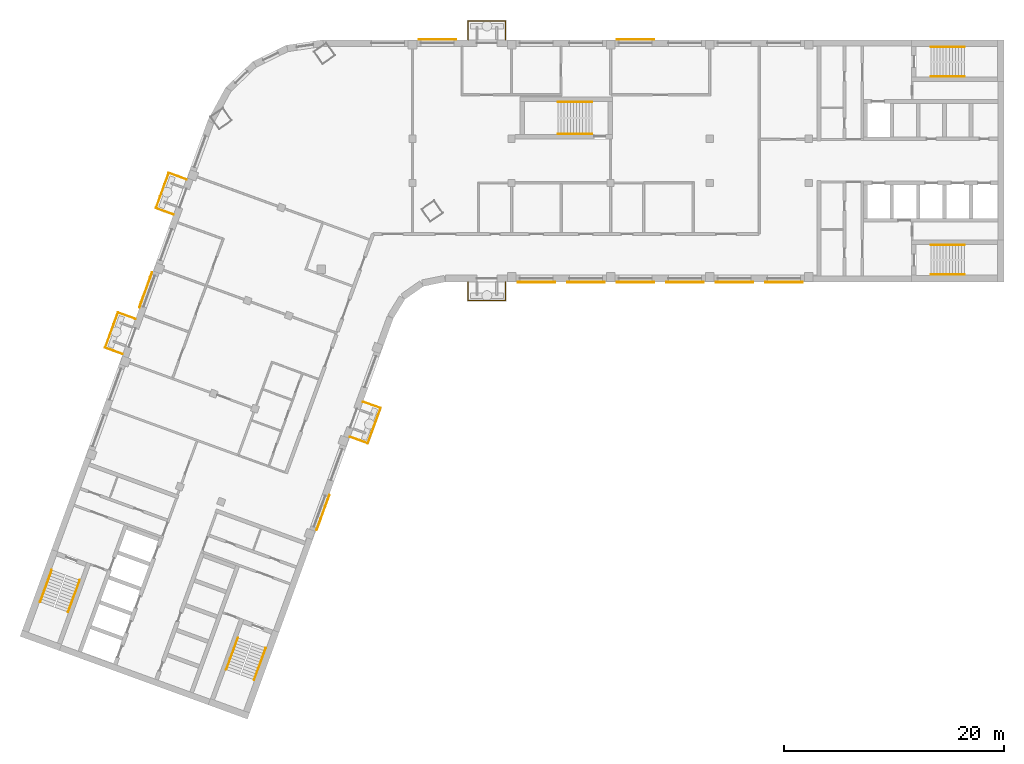
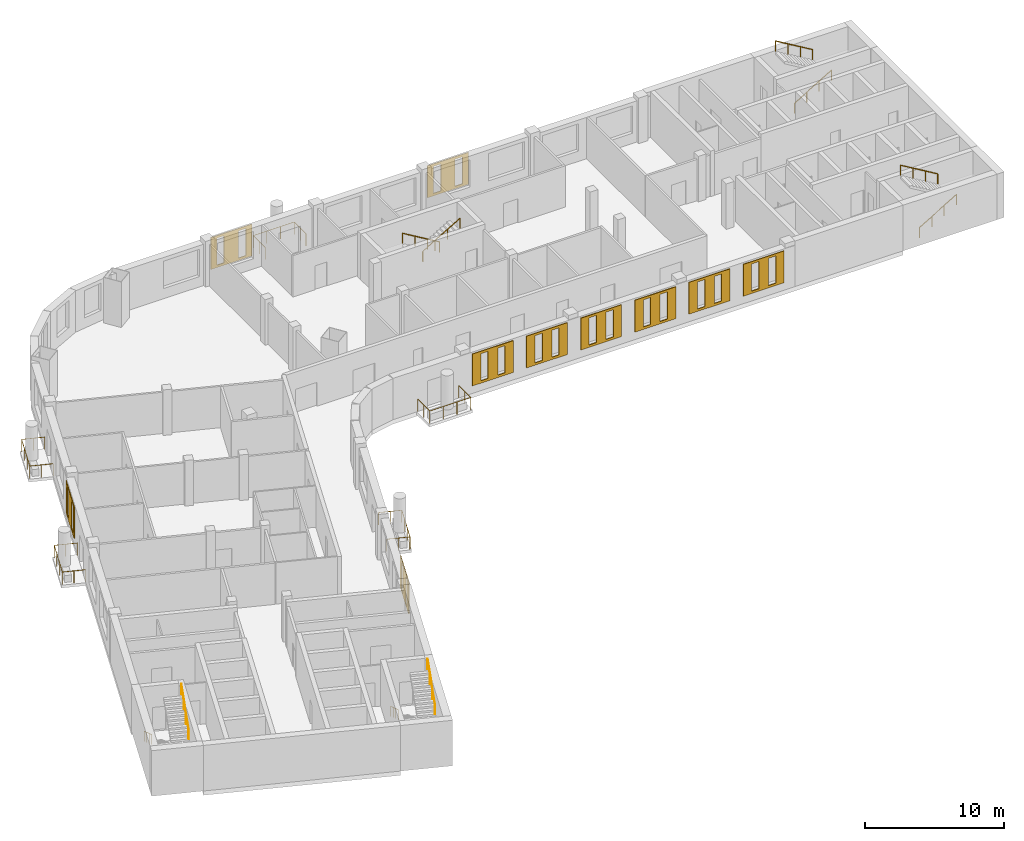
# One storey, part 9 of 11: 15 railings, 10 coverings.
"""IFC4 building model written with IfcOpenShell, lengths in metres."""

from ifc_helpers import new_model, si_unit, direction, frame, origin, origin_2d, place, context, subcontext, project, spatial, polyline, circle, outline, extrude, material, material_profile, profile_set, type_object, element, save


model = new_model("IFC4")

# Units and contexts
model_context = context("Model", 3, precision=1e-05, world=origin(), true_north=direction((0.0, 1.0)))
body_context = subcontext(model_context, "Body", "Model", "MODEL_VIEW")
ifc_project = project(units=[si_unit("LENGTHUNIT", "METRE"), si_unit("AREAUNIT", "SQUARE_METRE"), si_unit("VOLUMEUNIT", "CUBIC_METRE"), si_unit("PLANEANGLEUNIT", "RADIAN"), si_unit("MASSUNIT", "GRAM", prefix="KILO")], contexts=[model_context])

# Site, building, storey
site_placement = place(None, origin())
site = spatial("IfcSite", under=ifc_project, at=site_placement, CompositionType="ELEMENT")
building_placement = place(site_placement, origin())
building = spatial("IfcBuilding", under=site, at=building_placement, Name="Skarvind Civic Tower", CompositionType="ELEMENT")
storey_placement = place(building_placement, frame((0.0, 0.0, 142.5)))
storey = spatial("IfcBuildingStorey", under=building, at=storey_placement, Name="L33", CompositionType="ELEMENT", Elevation=142.5)

# Railings
ifc_material_1 = material(Name="Stainless steel balustrade", Category="steel")
railing_type_1 = type_object("IfcRailingType", Name="GR1 GUARD 1100", PredefinedType="GUARDRAIL", material=ifc_material_1)
railing_1_placement = place(storey_placement, frame((49.735595703125, 106.101806640625, 0.0)))
element("IfcRailing", 1, at=railing_1_placement, inside=storey, type_object=railing_type_1, Name="TREE BALCONY GUARD", PredefinedType="GUARDRAIL", context=body_context, shape_type="SweptSolid", body=[
    extrude(circle(Radius=0.02392578125, at=origin_2d()), frame((0.0, 0.0, 1.076171875), z_axis=(0.93966756638, -0.342088971896, 0.0), x_axis=(0.342088971896, 0.93966756638, 0.0)), (0.0, 0.0, 1.0), 1.699951171875),
    extrude(circle(Radius=0.02392578125, at=origin_2d()), frame((1.597412109375, -0.58154296875, 1.076171875), z_axis=(-0.342002487902, -0.939699046647, 0.0), x_axis=(0.939699046647, -0.342002487902, 0.0)), (0.0, 0.0, 1.0), 3.400146484375),
    extrude(circle(Radius=0.02392578125, at=origin_2d()), frame((0.4345703125, -3.776611328125, 1.076171875), z_axis=(-0.93966756638, 0.342088971896, 0.0), x_axis=(-0.342088971896, -0.93966756638, 0.0)), (0.0, 0.0, 1.0), 1.699951171875),
    extrude(circle(Radius=0.02099609375, at=origin_2d()), origin(), (0.0, 0.0, 1.0), 1.052001953125),
    extrude(circle(Radius=0.02099609375, at=origin_2d()), frame((0.798828125, -0.290771484375, 0.0)), (0.0, 0.0, 1.0), 1.052001953125),
    extrude(circle(Radius=0.02099609375, at=origin_2d()), frame((1.597412109375, -0.58154296875, 0.0)), (0.0, 0.0, 1.0), 1.052001953125),
    extrude(circle(Radius=0.02099609375, at=origin_2d()), frame((1.209716796875, -1.646484375, 0.0)), (0.0, 0.0, 1.0), 1.052001953125),
    extrude(circle(Radius=0.02099609375, at=origin_2d()), frame((0.822265625, -2.711669921875, 0.0)), (0.0, 0.0, 1.0), 1.052001953125),
    extrude(circle(Radius=0.02099609375, at=origin_2d()), frame((0.4345703125, -3.776611328125, 0.0)), (0.0, 0.0, 1.0), 1.052001953125),
    extrude(circle(Radius=0.02099609375, at=origin_2d()), frame((-0.3642578125, -3.48583984375, 0.0)), (0.0, 0.0, 1.0), 1.052001953125),
    extrude(circle(Radius=0.02099609375, at=origin_2d()), frame((-1.162841796875, -3.195068359375, 0.0)), (0.0, 0.0, 1.0), 1.052001953125),
])
railing_2_placement = place(storey_placement, frame((62.699951171875, 117.0, 0.0)))
element("IfcRailing", 2, at=railing_2_placement, inside=storey, type_object=railing_type_1, Name="TREE BALCONY GUARD", PredefinedType="GUARDRAIL", context=body_context, shape_type="SweptSolid", body=[
    extrude(circle(Radius=0.02392578125, at=origin_2d()), frame((0.0, 0.0, 1.076171875), z_axis=(0.0, -1.0, 0.0), x_axis=(1.0, 0.0, 0.0)), (0.0, 0.0, 1.0), 1.699951171875),
    extrude(circle(Radius=0.02392578125, at=origin_2d()), frame((0.0, -1.699951171875, 1.076171875), z_axis=(-1.0, 0.0, 0.0), x_axis=(0.0, -1.0, 0.0)), (0.0, 0.0, 1.0), 3.39990234375),
    extrude(circle(Radius=0.02392578125, at=origin_2d()), frame((-3.39990234375, -1.699951171875, 1.076171875), z_axis=(0.0, 1.0, 0.0), x_axis=(-1.0, 0.0, 0.0)), (0.0, 0.0, 1.0), 1.699951171875),
    extrude(circle(Radius=0.02099609375, at=origin_2d()), origin(), (0.0, 0.0, 1.0), 1.052001953125),
    extrude(circle(Radius=0.02099609375, at=origin_2d()), frame((0.0, -0.85009765625, 0.0)), (0.0, 0.0, 1.0), 1.052001953125),
    extrude(circle(Radius=0.02099609375, at=origin_2d()), frame((0.0, -1.699951171875, 0.0)), (0.0, 0.0, 1.0), 1.052001953125),
    extrude(circle(Radius=0.02099609375, at=origin_2d()), frame((-1.13330078125, -1.699951171875, 0.0)), (0.0, 0.0, 1.0), 1.052001953125),
    extrude(circle(Radius=0.02099609375, at=origin_2d()), frame((-2.2666015625, -1.699951171875, 0.0)), (0.0, 0.0, 1.0), 1.052001953125),
    extrude(circle(Radius=0.02099609375, at=origin_2d()), frame((-3.39990234375, -1.699951171875, 0.0)), (0.0, 0.0, 1.0), 1.052001953125),
    extrude(circle(Radius=0.02099609375, at=origin_2d()), frame((-3.39990234375, -0.85009765625, 0.0)), (0.0, 0.0, 1.0), 1.052001953125),
    extrude(circle(Radius=0.02099609375, at=origin_2d()), frame((-3.39990234375, 0.0, 0.0)), (0.0, 0.0, 1.0), 1.052001953125),
])
railing_3_placement = place(storey_placement, frame((59.300048828125, 139.0, 0.0)))
element("IfcRailing", 3, at=railing_3_placement, inside=storey, type_object=railing_type_1, Name="TREE BALCONY GUARD", PredefinedType="GUARDRAIL", context=body_context, shape_type="SweptSolid", body=[
    extrude(circle(Radius=0.02392578125, at=origin_2d()), frame((0.0, 0.0, 1.076171875), z_axis=(0.0, 1.0, 0.0), x_axis=(-1.0, 0.0, 0.0)), (0.0, 0.0, 1.0), 1.699951171875),
    extrude(circle(Radius=0.02392578125, at=origin_2d()), frame((0.0, 1.699951171875, 1.076171875), z_axis=(1.0, 0.0, 0.0), x_axis=(0.0, 1.0, 0.0)), (0.0, 0.0, 1.0), 3.39990234375),
    extrude(circle(Radius=0.02392578125, at=origin_2d()), frame((3.39990234375, 1.699951171875, 1.076171875), z_axis=(0.0, -1.0, 0.0), x_axis=(1.0, 0.0, 0.0)), (0.0, 0.0, 1.0), 1.699951171875),
    extrude(circle(Radius=0.02099609375, at=origin_2d()), origin(), (0.0, 0.0, 1.0), 1.052001953125),
    extrude(circle(Radius=0.02099609375, at=origin_2d()), frame((0.0, 0.85009765625, 0.0)), (0.0, 0.0, 1.0), 1.052001953125),
    extrude(circle(Radius=0.02099609375, at=origin_2d()), frame((0.0, 1.699951171875, 0.0)), (0.0, 0.0, 1.0), 1.052001953125),
    extrude(circle(Radius=0.02099609375, at=origin_2d()), frame((1.13330078125, 1.699951171875, 0.0)), (0.0, 0.0, 1.0), 1.052001953125),
    extrude(circle(Radius=0.02099609375, at=origin_2d()), frame((2.2666015625, 1.699951171875, 0.0)), (0.0, 0.0, 1.0), 1.052001953125),
    extrude(circle(Radius=0.02099609375, at=origin_2d()), frame((3.39990234375, 1.699951171875, 0.0)), (0.0, 0.0, 1.0), 1.052001953125),
    extrude(circle(Radius=0.02099609375, at=origin_2d()), frame((3.39990234375, 0.85009765625, 0.0)), (0.0, 0.0, 1.0), 1.052001953125),
    extrude(circle(Radius=0.02099609375, at=origin_2d()), frame((3.39990234375, 0.0, 0.0)), (0.0, 0.0, 1.0), 1.052001953125),
])
railing_4_placement = place(storey_placement, frame((27.8994140625, 110.43115234375, 0.0)))
element("IfcRailing", 4, at=railing_4_placement, inside=storey, type_object=railing_type_1, Name="TREE BALCONY GUARD", PredefinedType="GUARDRAIL", context=body_context, shape_type="SweptSolid", body=[
    extrude(circle(Radius=0.02392578125, at=origin_2d()), frame((0.0, 0.0, 1.076171875), z_axis=(-0.93966756638, 0.342088971896, 0.0), x_axis=(-0.342088971896, -0.93966756638, 0.0)), (0.0, 0.0, 1.0), 1.699951171875),
    extrude(circle(Radius=0.02392578125, at=origin_2d()), frame((-1.597412109375, 0.58154296875, 1.076171875), z_axis=(0.342025565686, 0.93969064719, 0.0), x_axis=(-0.93969064719, 0.342025565686, 0.0)), (0.0, 0.0, 1.0), 3.39990234375),
    extrude(circle(Radius=0.02392578125, at=origin_2d()), frame((-0.4345703125, 3.7763671875, 1.076171875), z_axis=(0.939730516252, -0.341916008435, 0.0), x_axis=(0.341916008435, 0.939730516252, 0.0)), (0.0, 0.0, 1.0), 1.7001953125),
    extrude(circle(Radius=0.02099609375, at=origin_2d()), origin(), (0.0, 0.0, 1.0), 1.052001953125),
    extrude(circle(Radius=0.02099609375, at=origin_2d()), frame((-0.798828125, 0.290771484375, 0.0)), (0.0, 0.0, 1.0), 1.052001953125),
    extrude(circle(Radius=0.02099609375, at=origin_2d()), frame((-1.597412109375, 0.58154296875, 0.0)), (0.0, 0.0, 1.0), 1.052001953125),
    extrude(circle(Radius=0.02099609375, at=origin_2d()), frame((-1.209716796875, 1.646484375, 0.0)), (0.0, 0.0, 1.0), 1.052001953125),
    extrude(circle(Radius=0.02099609375, at=origin_2d()), frame((-0.822265625, 2.71142578125, 0.0)), (0.0, 0.0, 1.0), 1.052001953125),
    extrude(circle(Radius=0.02099609375, at=origin_2d()), frame((-0.4345703125, 3.7763671875, 0.0)), (0.0, 0.0, 1.0), 1.052001953125),
    extrude(circle(Radius=0.02099609375, at=origin_2d()), frame((0.3642578125, 3.48583984375, 0.0)), (0.0, 0.0, 1.0), 1.052001953125),
    extrude(circle(Radius=0.02099609375, at=origin_2d()), frame((1.1630859375, 3.195068359375, 0.0)), (0.0, 0.0, 1.0), 1.052001953125),
])
railing_5_placement = place(storey_placement, frame((32.516845703125, 123.1171875, 0.0)))
element("IfcRailing", 5, at=railing_5_placement, inside=storey, type_object=railing_type_1, Name="TREE BALCONY GUARD", PredefinedType="GUARDRAIL", context=body_context, shape_type="SweptSolid", body=[
    extrude(circle(Radius=0.02392578125, at=origin_2d()), frame((0.0, 0.0, 1.076171875), z_axis=(-0.939730516252, 0.341916008435, 0.0), x_axis=(-0.341916008435, -0.939730516252, 0.0)), (0.0, 0.0, 1.0), 1.7001953125),
    extrude(circle(Radius=0.02392578125, at=origin_2d()), frame((-1.59765625, 0.581298828125, 1.076171875), z_axis=(0.342065890968, 0.939675968745, 0.0), x_axis=(-0.939675968745, 0.342065890968, 0.0)), (0.0, 0.0, 1.0), 3.400146484375),
    extrude(circle(Radius=0.02392578125, at=origin_2d()), frame((-0.4345703125, 3.7763671875, 1.076171875), z_axis=(0.93966756638, -0.342088971896, 0.0), x_axis=(0.342088971896, 0.93966756638, 0.0)), (0.0, 0.0, 1.0), 1.699951171875),
    extrude(circle(Radius=0.02099609375, at=origin_2d()), origin(), (0.0, 0.0, 1.0), 1.052001953125),
    extrude(circle(Radius=0.02099609375, at=origin_2d()), frame((-0.798828125, 0.29052734375, 0.0)), (0.0, 0.0, 1.0), 1.052001953125),
    extrude(circle(Radius=0.02099609375, at=origin_2d()), frame((-1.59765625, 0.581298828125, 0.0)), (0.0, 0.0, 1.0), 1.052001953125),
    extrude(circle(Radius=0.02099609375, at=origin_2d()), frame((-1.2099609375, 1.646240234375, 0.0)), (0.0, 0.0, 1.0), 1.052001953125),
    extrude(circle(Radius=0.02099609375, at=origin_2d()), frame((-0.822265625, 2.71142578125, 0.0)), (0.0, 0.0, 1.0), 1.052001953125),
    extrude(circle(Radius=0.02099609375, at=origin_2d()), frame((-0.4345703125, 3.7763671875, 0.0)), (0.0, 0.0, 1.0), 1.052001953125),
    extrude(circle(Radius=0.02099609375, at=origin_2d()), frame((0.3642578125, 3.485595703125, 0.0)), (0.0, 0.0, 1.0), 1.052001953125),
    extrude(circle(Radius=0.02099609375, at=origin_2d()), frame((1.162841796875, 3.19482421875, 0.0)), (0.0, 0.0, 1.0), 1.052001953125),
])
ifc_material_2 = material(Name="Painted steel handrail", Category="steel")
railing_type_2 = type_object("IfcRailingType", Name="Stair handrail 900", PredefinedType="HANDRAIL", material=ifc_material_2)
railing_6_placement = place(storey_placement, frame((101.35009765625, 135.64990234375, 0.166748046875)))
element("IfcRailing", 6, at=railing_6_placement, inside=storey, type_object=railing_type_2, Name="Stair handrail", PredefinedType="HANDRAIL", context=body_context, shape_type="SweptSolid", body=[
    extrude(circle(Radius=0.02392578125, at=origin_2d()), frame((0.0, 0.0, 0.8759765625), z_axis=(0.859290745958, 0.0, 0.51148745235), x_axis=(0.0, 1.0, 0.0)), (0.0, 0.0, 1.0), 3.584228515625),
    extrude(circle(Radius=0.02099609375, at=origin_2d()), origin(), (0.0, 0.0, 1.0), 0.851806640625),
    extrude(circle(Radius=0.02099609375, at=origin_2d()), frame((1.026611328125, 0.0, 0.611083984375)), (0.0, 0.0, 1.0), 0.851806640625),
    extrude(circle(Radius=0.02099609375, at=origin_2d()), frame((2.05322265625, 0.0, 1.22216796875)), (0.0, 0.0, 1.0), 0.851806640625),
    extrude(circle(Radius=0.02099609375, at=origin_2d()), frame((3.079833984375, 0.0, 1.833251953125)), (0.0, 0.0, 1.0), 0.851806640625),
])
railing_7_placement = place(storey_placement, frame((104.429931640625, 138.35009765625, 2.166748046875)))
element("IfcRailing", 7, at=railing_7_placement, inside=storey, type_object=railing_type_2, Name="Stair handrail", PredefinedType="HANDRAIL", context=body_context, shape_type="SweptSolid", body=[
    extrude(circle(Radius=0.02392578125, at=origin_2d()), frame((0.0, 0.0, 0.8759765625), z_axis=(-0.859290745958, 0.0, 0.51148745235), x_axis=(0.0, -1.0, 0.0)), (0.0, 0.0, 1.0), 3.584228515625),
    extrude(circle(Radius=0.02099609375, at=origin_2d()), origin(), (0.0, 0.0, 1.0), 0.851806640625),
    extrude(circle(Radius=0.02099609375, at=origin_2d()), frame((-1.026611328125, 0.0, 0.611083984375)), (0.0, 0.0, 1.0), 0.851806640625),
    extrude(circle(Radius=0.02099609375, at=origin_2d()), frame((-2.05322265625, 0.0, 1.22216796875)), (0.0, 0.0, 1.0), 0.851806640625),
    extrude(circle(Radius=0.02099609375, at=origin_2d()), frame((-3.079833984375, 0.0, 1.833251953125)), (0.0, 0.0, 1.0), 0.851806640625),
])
railing_8_placement = place(storey_placement, frame((101.35009765625, 117.64990234375, 0.166748046875)))
element("IfcRailing", 8, at=railing_8_placement, inside=storey, type_object=railing_type_2, Name="Stair handrail", PredefinedType="HANDRAIL", context=body_context, shape_type="SweptSolid", body=[
    extrude(circle(Radius=0.02392578125, at=origin_2d()), frame((0.0, 0.0, 0.8759765625), z_axis=(0.859290745958, 0.0, 0.51148745235), x_axis=(0.0, 1.0, 0.0)), (0.0, 0.0, 1.0), 3.584228515625),
    extrude(circle(Radius=0.02099609375, at=origin_2d()), origin(), (0.0, 0.0, 1.0), 0.851806640625),
    extrude(circle(Radius=0.02099609375, at=origin_2d()), frame((1.026611328125, 0.0, 0.611083984375)), (0.0, 0.0, 1.0), 0.851806640625),
    extrude(circle(Radius=0.02099609375, at=origin_2d()), frame((2.05322265625, 0.0, 1.22216796875)), (0.0, 0.0, 1.0), 0.851806640625),
    extrude(circle(Radius=0.02099609375, at=origin_2d()), frame((3.079833984375, 0.0, 1.833251953125)), (0.0, 0.0, 1.0), 0.851806640625),
])
railing_9_placement = place(storey_placement, frame((104.429931640625, 120.35009765625, 2.166748046875)))
element("IfcRailing", 9, at=railing_9_placement, inside=storey, type_object=railing_type_2, Name="Stair handrail", PredefinedType="HANDRAIL", context=body_context, shape_type="SweptSolid", body=[
    extrude(circle(Radius=0.02392578125, at=origin_2d()), frame((0.0, 0.0, 0.8759765625), z_axis=(-0.859290745958, 0.0, 0.51148745235), x_axis=(0.0, -1.0, 0.0)), (0.0, 0.0, 1.0), 3.584228515625),
    extrude(circle(Radius=0.02099609375, at=origin_2d()), origin(), (0.0, 0.0, 1.0), 0.851806640625),
    extrude(circle(Radius=0.02099609375, at=origin_2d()), frame((-1.026611328125, 0.0, 0.611083984375)), (0.0, 0.0, 1.0), 0.851806640625),
    extrude(circle(Radius=0.02099609375, at=origin_2d()), frame((-2.05322265625, 0.0, 1.22216796875)), (0.0, 0.0, 1.0), 0.851806640625),
    extrude(circle(Radius=0.02099609375, at=origin_2d()), frame((-3.079833984375, 0.0, 1.833251953125)), (0.0, 0.0, 1.0), 0.851806640625),
])
railing_10_placement = place(storey_placement, frame((38.362060546875, 84.64794921875, 0.166748046875)))
element("IfcRailing", 10, at=railing_10_placement, inside=storey, type_object=railing_type_2, Name="Stair handrail", PredefinedType="HANDRAIL", context=body_context, shape_type="SweptSolid", body=[
    extrude(circle(Radius=0.02392578125, at=origin_2d()), frame((0.0, 0.0, 0.8759765625), z_axis=(-0.293908055923, -0.807480881337, 0.511461319103), x_axis=(0.939689235759, -0.342029443467, 0.0)), (0.0, 0.0, 1.0), 3.584228515625),
    extrude(circle(Radius=0.02099609375, at=origin_2d()), origin(), (0.0, 0.0, 1.0), 0.851806640625),
    extrude(circle(Radius=0.02099609375, at=origin_2d()), frame((-0.35107421875, -0.96484375, 0.611083984375)), (0.0, 0.0, 1.0), 0.851806640625),
    extrude(circle(Radius=0.02099609375, at=origin_2d()), frame((-0.702392578125, -1.929443359375, 1.22216796875)), (0.0, 0.0, 1.0), 0.851806640625),
    extrude(circle(Radius=0.02099609375, at=origin_2d()), frame((-1.053466796875, -2.894287109375, 1.833251953125)), (0.0, 0.0, 1.0), 0.851806640625),
])
railing_11_placement = place(storey_placement, frame((39.845703125, 80.830078125, 2.166748046875)))
element("IfcRailing", 11, at=railing_11_placement, inside=storey, type_object=railing_type_2, Name="Stair handrail", PredefinedType="HANDRAIL", context=body_context, shape_type="SweptSolid", body=[
    extrude(circle(Radius=0.02392578125, at=origin_2d()), frame((0.0, 0.0, 0.8759765625), z_axis=(0.293908055923, 0.807480881337, 0.511461319103), x_axis=(-0.939689235759, 0.342029443467, 0.0)), (0.0, 0.0, 1.0), 3.584228515625),
    extrude(circle(Radius=0.02099609375, at=origin_2d()), origin(), (0.0, 0.0, 1.0), 0.851806640625),
    extrude(circle(Radius=0.02099609375, at=origin_2d()), frame((0.35107421875, 0.96484375, 0.611083984375)), (0.0, 0.0, 1.0), 0.851806640625),
    extrude(circle(Radius=0.02099609375, at=origin_2d()), frame((0.702392578125, 1.929443359375, 1.22216796875)), (0.0, 0.0, 1.0), 0.851806640625),
    extrude(circle(Radius=0.02099609375, at=origin_2d()), frame((1.053466796875, 2.894287109375, 1.833251953125)), (0.0, 0.0, 1.0), 0.851806640625),
])
railing_12_placement = place(storey_placement, frame((21.447509765625, 90.80419921875, 0.166748046875)))
element("IfcRailing", 12, at=railing_12_placement, inside=storey, type_object=railing_type_2, Name="Stair handrail", PredefinedType="HANDRAIL", context=body_context, shape_type="SweptSolid", body=[
    extrude(circle(Radius=0.02392578125, at=origin_2d()), frame((0.0, 0.0, 0.8759765625), z_axis=(-0.293845824691, -0.807497044902, 0.511471557163), x_axis=(0.939714709796, -0.34195944817, 0.0)), (0.0, 0.0, 1.0), 3.584228515625),
    extrude(circle(Radius=0.02099609375, at=origin_2d()), origin(), (0.0, 0.0, 1.0), 0.851806640625),
    extrude(circle(Radius=0.02099609375, at=origin_2d()), frame((-0.35107421875, -0.96484375, 0.611083984375)), (0.0, 0.0, 1.0), 0.851806640625),
    extrude(circle(Radius=0.02099609375, at=origin_2d()), frame((-0.7021484375, -1.929443359375, 1.22216796875)), (0.0, 0.0, 1.0), 0.851806640625),
    extrude(circle(Radius=0.02099609375, at=origin_2d()), frame((-1.05322265625, -2.894287109375, 1.833251953125)), (0.0, 0.0, 1.0), 0.851806640625),
])
railing_13_placement = place(storey_placement, frame((22.931396484375, 86.986572265625, 2.166748046875)))
element("IfcRailing", 13, at=railing_13_placement, inside=storey, type_object=railing_type_2, Name="Stair handrail", PredefinedType="HANDRAIL", context=body_context, shape_type="SweptSolid", body=[
    extrude(circle(Radius=0.02392578125, at=origin_2d()), frame((0.0, 0.0, 0.8759765625), z_axis=(0.293908055923, 0.807480881337, 0.511461319103), x_axis=(-0.939689235759, 0.342029443467, 0.0)), (0.0, 0.0, 1.0), 3.584228515625),
    extrude(circle(Radius=0.02099609375, at=origin_2d()), origin(), (0.0, 0.0, 1.0), 0.851806640625),
    extrude(circle(Radius=0.02099609375, at=origin_2d()), frame((0.35107421875, 0.96484375, 0.611083984375)), (0.0, 0.0, 1.0), 0.851806640625),
    extrude(circle(Radius=0.02099609375, at=origin_2d()), frame((0.702392578125, 1.929443359375, 1.22216796875)), (0.0, 0.0, 1.0), 0.851806640625),
    extrude(circle(Radius=0.02099609375, at=origin_2d()), frame((1.053466796875, 2.894287109375, 1.833251953125)), (0.0, 0.0, 1.0), 0.851806640625),
])
railing_14_placement = place(storey_placement, frame((70.550048828125, 133.35009765625, 0.166748046875)))
element("IfcRailing", 14, at=railing_14_placement, inside=storey, type_object=railing_type_2, Name="Stair handrail", PredefinedType="HANDRAIL", context=body_context, shape_type="SweptSolid", body=[
    extrude(circle(Radius=0.02392578125, at=origin_2d()), frame((0.0, 0.0, 0.8759765625), z_axis=(-0.859308565015, 0.0, 0.511457515432), x_axis=(0.0, -1.0, 0.0)), (0.0, 0.0, 1.0), 3.58447265625),
    extrude(circle(Radius=0.02099609375, at=origin_2d()), origin(), (0.0, 0.0, 1.0), 0.851806640625),
    extrude(circle(Radius=0.02099609375, at=origin_2d()), frame((-1.026611328125, 0.0, 0.611083984375)), (0.0, 0.0, 1.0), 0.851806640625),
    extrude(circle(Radius=0.02099609375, at=origin_2d()), frame((-2.053466796875, 0.0, 1.22216796875)), (0.0, 0.0, 1.0), 0.851806640625),
    extrude(circle(Radius=0.02099609375, at=origin_2d()), frame((-3.080078125, 0.0, 1.833251953125)), (0.0, 0.0, 1.0), 0.851806640625),
])
railing_15_placement = place(storey_placement, frame((67.469970703125, 130.449951171875, 2.166748046875)))
element("IfcRailing", 15, at=railing_15_placement, inside=storey, type_object=railing_type_2, Name="Stair handrail", PredefinedType="HANDRAIL", context=body_context, shape_type="SweptSolid", body=[
    extrude(circle(Radius=0.02392578125, at=origin_2d()), frame((0.0, 0.0, 0.8759765625), z_axis=(0.859308565015, 0.0, 0.511457515432), x_axis=(0.0, 1.0, 0.0)), (0.0, 0.0, 1.0), 3.58447265625),
    extrude(circle(Radius=0.02099609375, at=origin_2d()), origin(), (0.0, 0.0, 1.0), 0.851806640625),
    extrude(circle(Radius=0.02099609375, at=origin_2d()), frame((1.026611328125, 0.0, 0.611083984375)), (0.0, 0.0, 1.0), 0.851806640625),
    extrude(circle(Radius=0.02099609375, at=origin_2d()), frame((2.053466796875, 0.0, 1.22216796875)), (0.0, 0.0, 1.0), 0.851806640625),
    extrude(circle(Radius=0.02099609375, at=origin_2d()), frame((3.080078125, 0.0, 1.833251953125)), (0.0, 0.0, 1.0), 0.851806640625),
])

# Coverings
ifc_material_3 = material(Name="Terracotta", Category="masonry")
ifc_material_profile_1 = material_profile(ifc_material_3, outline(polyline([(-1.699951171875, -1.39990234375), (1.699951171875, -1.39990234375), (1.699951171875, 1.39990234375), (-1.699951171875, 1.39990234375), (-1.699951171875, -1.39990234375)]), holes=[polyline([(-1.0, -1.18994140625), (-0.39990234375, -1.18994140625), (-0.39990234375, 1.18994140625), (-1.0, 1.18994140625), (-1.0, -1.18994140625)]), polyline([(0.39990234375, -1.18994140625), (1.0, -1.18994140625), (1.0, 1.18994140625), (0.39990234375, 1.18994140625), (0.39990234375, -1.18994140625)])]), Name="TERRACOTTA SCREEN 3400 x 2800, SLIT PITCH 1400")
ifc_profile_set_1 = profile_set([ifc_material_profile_1], Name="Terracotta")
covering_type_1 = type_object("IfcCoveringType", Name="TERRACOTTA SCREEN 3400 x 2800, SLIT PITCH 1400", PredefinedType="CLADDING", material=ifc_profile_set_1)
for number, where, z_axis, x_axis, name in (
    (16, (88.0, 117.0, 2.10009765625), (0.0, -1.0, 0.0), (1.0, 0.0, 0.0), "TERRACOTTA SCREEN"),
    (17, (83.5, 117.0, 2.10009765625), (0.0, -1.0, 0.0), (1.0, 0.0, 0.0), "TERRACOTTA SCREEN"),
    (18, (79.0, 117.0, 2.10009765625), (0.0, -1.0, 0.0), (1.0, 0.0, 0.0), "TERRACOTTA SCREEN"),
    (19, (74.5, 117.0, 2.10009765625), (0.0, -1.0, 0.0), (1.0, 0.0, 0.0), "TERRACOTTA SCREEN"),
    (20, (70.0, 117.0, 2.10009765625), (0.0, -1.0, 0.0), (1.0, 0.0, 0.0), "TERRACOTTA SCREEN"),
    (21, (65.5, 117.0, 2.10009765625), (0.0, -1.0, 0.0), (1.0, 0.0, 0.0), "TERRACOTTA SCREEN"),
):
    element("IfcCovering", number, at=place(storey_placement, frame(where, z_axis=z_axis, x_axis=x_axis)), inside=storey, type_object=covering_type_1, Name=name, PredefinedType="CLADDING", context=body_context, shape_type="SweptSolid", body=[
        extrude(outline(polyline([(-1.699951171875, -1.39990234375), (1.699951171875, -1.39990234375), (1.699951171875, 1.39990234375), (-1.699951171875, 1.39990234375), (-1.699951171875, -1.39990234375)]), holes=[polyline([(-1.0, -1.18994140625), (-0.39990234375, -1.18994140625), (-0.39990234375, 1.18994140625), (-1.0, 1.18994140625), (-1.0, -1.18994140625)]), polyline([(0.39990234375, -1.18994140625), (1.0, -1.18994140625), (1.0, 1.18994140625), (0.39990234375, 1.18994140625), (0.39990234375, -1.18994140625)])]), origin(), (0.0, 0.0, 1.0), 0.06005859375),
    ])
ifc_material_profile_2 = material_profile(ifc_material_3, outline(polyline([(-1.699951171875, -1.39990234375), (1.699951171875, -1.39990234375), (1.699951171875, 1.39990234375), (-1.699951171875, 1.39990234375), (-1.699951171875, -1.39990234375)]), holes=[polyline([(-1.199951171875, -1.18994140625), (-0.60009765625, -1.18994140625), (-0.60009765625, 1.18994140625), (-1.199951171875, 1.18994140625), (-1.199951171875, -1.18994140625)]), polyline([(0.60009765625, -1.18994140625), (1.199951171875, -1.18994140625), (1.199951171875, 1.18994140625), (0.60009765625, 1.18994140625), (0.60009765625, -1.18994140625)])]), Name="TERRACOTTA SCREEN 3400 x 2800, SLIT PITCH 1800")
ifc_profile_set_2 = profile_set([ifc_material_profile_2], Name="Terracotta")
covering_type_2 = type_object("IfcCoveringType", Name="TERRACOTTA SCREEN 3400 x 2800, SLIT PITCH 1800", PredefinedType="CLADDING", material=ifc_profile_set_2)
for number, where, z_axis, x_axis, name in (
    (22, (46.075927734375, 96.047119140625, 2.10009765625), (0.939793423488, -0.341743063087, 0.0), (0.341743063087, 0.939793423488, 0.0), "TERRACOTTA SCREEN"),
    (23, (56.5, 139.0, 2.10009765625), (0.0, 1.0, 0.0), (-1.0, 0.0, 0.0), "TERRACOTTA SCREEN"),
    (24, (74.5, 139.0, 2.10009765625), (0.0, 1.0, 0.0), (-1.0, 0.0, 0.0), "TERRACOTTA SCREEN"),
    (25, (30.02001953125, 116.25732421875, 2.10009765625), (-0.939793423488, 0.341743063087, 0.0), (-0.341743063087, -0.939793423488, 0.0), "TERRACOTTA SCREEN"),
):
    element("IfcCovering", number, at=place(storey_placement, frame(where, z_axis=z_axis, x_axis=x_axis)), inside=storey, type_object=covering_type_2, Name=name, PredefinedType="CLADDING", context=body_context, shape_type="SweptSolid", body=[
        extrude(outline(polyline([(-1.699951171875, -1.39990234375), (1.699951171875, -1.39990234375), (1.699951171875, 1.39990234375), (-1.699951171875, 1.39990234375), (-1.699951171875, -1.39990234375)]), holes=[polyline([(-1.199951171875, -1.18994140625), (-0.60009765625, -1.18994140625), (-0.60009765625, 1.18994140625), (-1.199951171875, 1.18994140625), (-1.199951171875, -1.18994140625)]), polyline([(0.60009765625, -1.18994140625), (1.199951171875, -1.18994140625), (1.199951171875, 1.18994140625), (0.60009765625, 1.18994140625), (0.60009765625, -1.18994140625)])]), origin(), (0.0, 0.0, 1.0), 0.06005859375),
    ])

save(model, "model.ifc")
